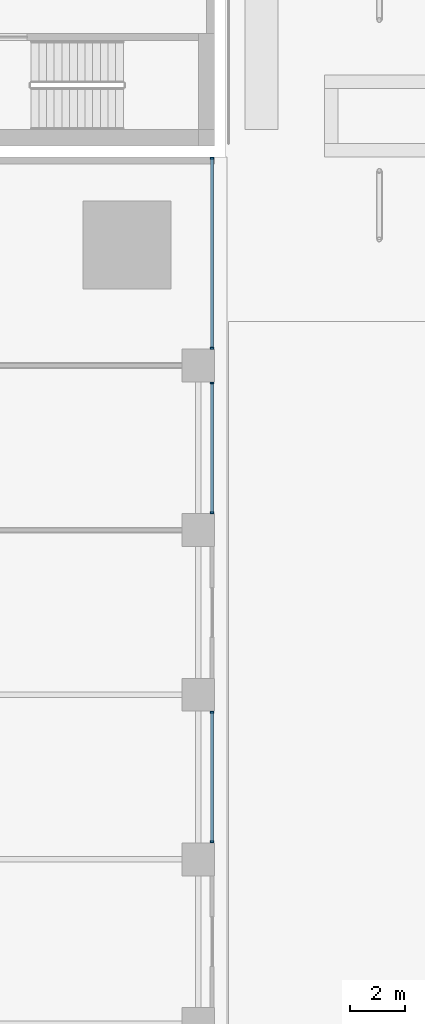
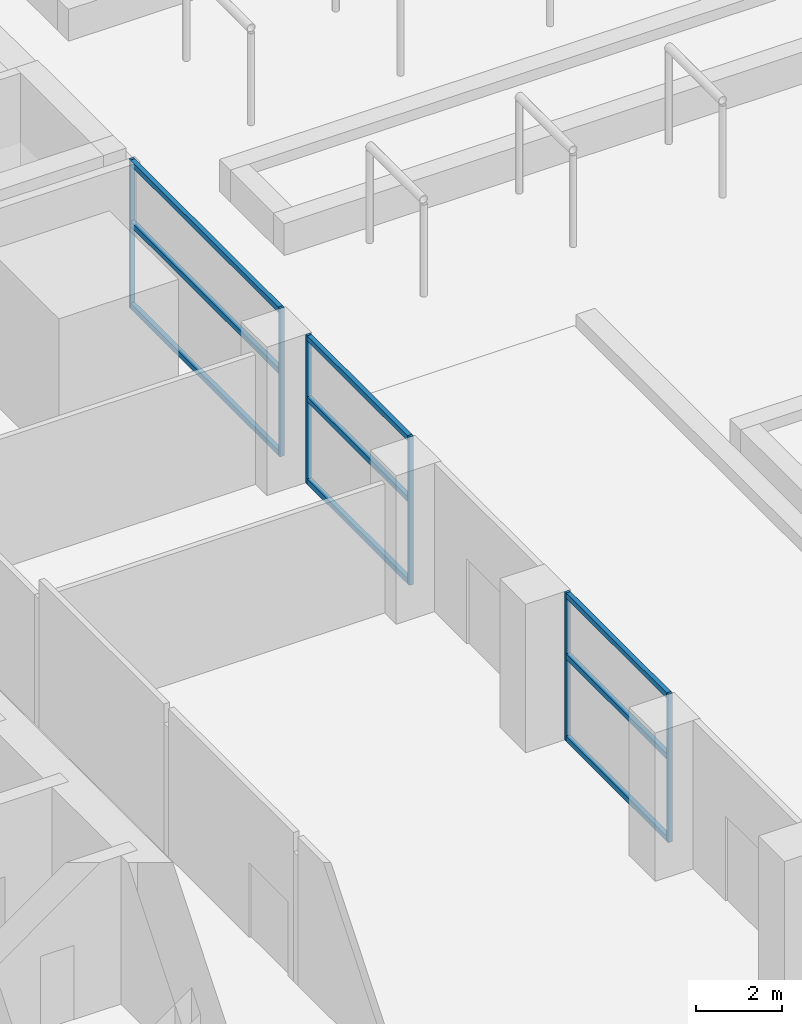
# One storey, part 11 of 34: 15 members, 3 elements without a shape of their own.
"""IFC4 building model written with IfcOpenShell, lengths in metres."""

from ifc_helpers import new_model, si_unit, direction, frame, origin, origin_2d, place, context, subcontext, project, spatial, rectangle, extrude, material, material_profile, profile_set, type_object, element, aggregate, save


model = new_model("IFC4")

# Units and contexts
model_context = context("Model", 3, precision=1e-05, world=origin(), true_north=direction((0.0, 1.0)))
body_context = subcontext(model_context, "Body", "Model", "MODEL_VIEW")
ifc_project = project(units=[si_unit("LENGTHUNIT", "METRE"), si_unit("AREAUNIT", "SQUARE_METRE"), si_unit("VOLUMEUNIT", "CUBIC_METRE"), si_unit("PLANEANGLEUNIT", "RADIAN"), si_unit("MASSUNIT", "GRAM", prefix="KILO")], contexts=[model_context])

# Site, building, storey
site_placement = place(None, origin())
site = spatial("IfcSite", under=ifc_project, at=site_placement, CompositionType="ELEMENT")
building_placement = place(site_placement, origin())
building = spatial("IfcBuilding", under=site, at=building_placement, Name="Amberfall Residences", CompositionType="ELEMENT")
storey_placement = place(building_placement, frame((0.0, 0.0, 5.5)))
storey = spatial("IfcBuildingStorey", under=building, at=storey_placement, Name="L01", CompositionType="ELEMENT", Elevation=5.5)

# Curtain wall, members
ifc_material_1 = material(Name="Bronze anodised aluminium and glass", Category="aluminium")
curtain_wall_type = type_object("IfcCurtainWallType", Name="Curtain wall CW4 podium storefront", PredefinedType="USERDEFINED", material=ifc_material_1)
curtain_wall_1_placement = place(storey_placement, origin())
curtain_wall_1 = element("IfcCurtainWall", 1, at=curtain_wall_1_placement, inside=storey, type_object=curtain_wall_type, Name="Storefront L01 E4", ObjectType="UNITISED CURTAIN WALL", PredefinedType="USERDEFINED")
ifc_material_2 = material(Name="Bronze anodised aluminium", Category="aluminium")
ifc_material_profile_1 = material_profile(ifc_material_2, rectangle(XDim=0.1201171875, YDim=0.070068359375, at=origin_2d()), Name="CW4 mullion 70 x 120 bronze")
ifc_profile_set_1 = profile_set([ifc_material_profile_1], Name="Bronze anodised aluminium")
member_type_1 = type_object("IfcMemberType", Name="CW4 mullion 70 x 120 bronze", PredefinedType="MULLION", material=ifc_profile_set_1)
member_1_placement = place(storey_placement, frame((99.89990234375, 43.034912109375, 0.0), z_axis=(0.0, 0.0, 1.0), x_axis=(-1.0, 0.0, 0.0)))
member_1 = element("IfcMember", 2, at=member_1_placement, type_object=member_type_1, Name="CW4 mullion 1", PredefinedType="MULLION", context=body_context, shape_type="SweptSolid", body=[
    extrude(rectangle(XDim=0.1201171875, YDim=0.070068359375, at=origin_2d()), origin(), (0.0, 0.0, 1.0), 4.199951171875),
])
member_2_placement = place(storey_placement, frame((99.89990234375, 47.764892578125, 0.0), z_axis=(0.0, 0.0, 1.0), x_axis=(-1.0, 0.0, 0.0)))
member_2 = element("IfcMember", 3, at=member_2_placement, type_object=member_type_1, Name="CW4 mullion 2", PredefinedType="MULLION", context=body_context, shape_type="SweptSolid", body=[
    extrude(rectangle(XDim=0.1201171875, YDim=0.070068359375, at=origin_2d()), origin(), (0.0, 0.0, 1.0), 4.199951171875),
])

curtain_wall_2_placement = place(storey_placement, origin())
curtain_wall_2 = element("IfcCurtainWall", 4, at=curtain_wall_2_placement, inside=storey, type_object=curtain_wall_type, Name="Storefront L01 E6", ObjectType="UNITISED CURTAIN WALL", PredefinedType="USERDEFINED")
member_3_placement = place(storey_placement, frame((99.89990234375, 55.034912109375, 0.0), z_axis=(0.0, 0.0, 1.0), x_axis=(-1.0, 0.0, 0.0)))
member_3 = element("IfcMember", 5, at=member_3_placement, type_object=member_type_1, Name="CW4 mullion 1", PredefinedType="MULLION", context=body_context, shape_type="SweptSolid", body=[
    extrude(rectangle(XDim=0.1201171875, YDim=0.070068359375, at=origin_2d()), origin(), (0.0, 0.0, 1.0), 4.199951171875),
])
member_4_placement = place(storey_placement, frame((99.89990234375, 59.764892578125, 0.0), z_axis=(0.0, 0.0, 1.0), x_axis=(-1.0, 0.0, 0.0)))
member_4 = element("IfcMember", 6, at=member_4_placement, type_object=member_type_1, Name="CW4 mullion 2", PredefinedType="MULLION", context=body_context, shape_type="SweptSolid", body=[
    extrude(rectangle(XDim=0.1201171875, YDim=0.070068359375, at=origin_2d()), origin(), (0.0, 0.0, 1.0), 4.199951171875),
])

curtain_wall_3_placement = place(storey_placement, origin())
curtain_wall_3 = element("IfcCurtainWall", 7, at=curtain_wall_3_placement, inside=storey, type_object=curtain_wall_type, Name="Storefront L01 E7", ObjectType="UNITISED CURTAIN WALL", PredefinedType="USERDEFINED")
member_5_placement = place(storey_placement, frame((99.89990234375, 61.034912109375, 0.0), z_axis=(0.0, 0.0, 1.0), x_axis=(-1.0, 0.0, 0.0)))
member_5 = element("IfcMember", 8, at=member_5_placement, type_object=member_type_1, Name="CW4 mullion 1", PredefinedType="MULLION", context=body_context, shape_type="SweptSolid", body=[
    extrude(rectangle(XDim=0.1201171875, YDim=0.070068359375, at=origin_2d()), origin(), (0.0, 0.0, 1.0), 4.199951171875),
])
member_6_placement = place(storey_placement, frame((99.89990234375, 67.965087890625, 0.0), z_axis=(0.0, 0.0, 1.0), x_axis=(-1.0, 0.0, 0.0)))
member_6 = element("IfcMember", 9, at=member_6_placement, type_object=member_type_1, Name="CW4 mullion 2", PredefinedType="MULLION", context=body_context, shape_type="SweptSolid", body=[
    extrude(rectangle(XDim=0.1201171875, YDim=0.070068359375, at=origin_2d()), origin(), (0.0, 0.0, 1.0), 4.199951171875),
])

# Member
ifc_material_profile_2 = material_profile(ifc_material_2, rectangle(XDim=0.1201171875, YDim=0.14990234375, at=origin_2d()), Name="CW4 transom 120 x 150 bronze")
ifc_profile_set_2 = profile_set([ifc_material_profile_2], Name="Bronze anodised aluminium")
member_type_2 = type_object("IfcMemberType", Name="CW4 transom 120 x 150 bronze", PredefinedType="USERDEFINED", material=ifc_profile_set_2)
member_7_placement = place(storey_placement, frame((99.89990234375, 43.070068359375, 0.074951171875), z_axis=(0.0, 1.0, 0.0), x_axis=(-1.0, 0.0, 0.0)))
member_7 = element("IfcMember", 10, at=member_7_placement, type_object=member_type_2, Name="CW4 transom 1.1", ObjectType="TRANSOM", PredefinedType="USERDEFINED", context=body_context, shape_type="SweptSolid", body=[
    extrude(rectangle(XDim=0.1201171875, YDim=0.14990234375, at=origin_2d()), origin(), (0.0, 0.0, 1.0), 4.659912109375),
])

member_8_placement = place(storey_placement, frame((99.89990234375, 43.070068359375, 2.39990234375), z_axis=(0.0, 1.0, 0.0), x_axis=(-1.0, 0.0, 0.0)))
member_8 = element("IfcMember", 11, at=member_8_placement, type_object=member_type_2, Name="CW4 transom 1.2", ObjectType="TRANSOM", PredefinedType="USERDEFINED", context=body_context, shape_type="SweptSolid", body=[
    extrude(rectangle(XDim=0.1201171875, YDim=0.14990234375, at=origin_2d()), origin(), (0.0, 0.0, 1.0), 4.659912109375),
])

member_9_placement = place(storey_placement, frame((99.89990234375, 43.070068359375, 4.125), z_axis=(0.0, 1.0, 0.0), x_axis=(-1.0, 0.0, 0.0)))
member_9 = element("IfcMember", 12, at=member_9_placement, type_object=member_type_2, Name="CW4 transom 1.3", ObjectType="TRANSOM", PredefinedType="USERDEFINED", context=body_context, shape_type="SweptSolid", body=[
    extrude(rectangle(XDim=0.1201171875, YDim=0.14990234375, at=origin_2d()), origin(), (0.0, 0.0, 1.0), 4.659912109375),
])

aggregate(curtain_wall_1, [member_1, member_2, member_7, member_8, member_9])

member_10_placement = place(storey_placement, frame((99.89990234375, 55.070068359375, 0.074951171875), z_axis=(0.0, 1.0, 0.0), x_axis=(-1.0, 0.0, 0.0)))
member_10 = element("IfcMember", 13, at=member_10_placement, type_object=member_type_2, Name="CW4 transom 1.1", ObjectType="TRANSOM", PredefinedType="USERDEFINED", context=body_context, shape_type="SweptSolid", body=[
    extrude(rectangle(XDim=0.1201171875, YDim=0.14990234375, at=origin_2d()), origin(), (0.0, 0.0, 1.0), 4.659912109375),
])

member_11_placement = place(storey_placement, frame((99.89990234375, 55.070068359375, 2.39990234375), z_axis=(0.0, 1.0, 0.0), x_axis=(-1.0, 0.0, 0.0)))
member_11 = element("IfcMember", 14, at=member_11_placement, type_object=member_type_2, Name="CW4 transom 1.2", ObjectType="TRANSOM", PredefinedType="USERDEFINED", context=body_context, shape_type="SweptSolid", body=[
    extrude(rectangle(XDim=0.1201171875, YDim=0.14990234375, at=origin_2d()), origin(), (0.0, 0.0, 1.0), 4.659912109375),
])

member_12_placement = place(storey_placement, frame((99.89990234375, 55.070068359375, 4.125), z_axis=(0.0, 1.0, 0.0), x_axis=(-1.0, 0.0, 0.0)))
member_12 = element("IfcMember", 15, at=member_12_placement, type_object=member_type_2, Name="CW4 transom 1.3", ObjectType="TRANSOM", PredefinedType="USERDEFINED", context=body_context, shape_type="SweptSolid", body=[
    extrude(rectangle(XDim=0.1201171875, YDim=0.14990234375, at=origin_2d()), origin(), (0.0, 0.0, 1.0), 4.659912109375),
])

aggregate(curtain_wall_2, [member_3, member_4, member_10, member_11, member_12])

member_13_placement = place(storey_placement, frame((99.89990234375, 61.070068359375, 0.074951171875), z_axis=(0.0, 1.0, 0.0), x_axis=(-1.0, 0.0, 0.0)))
member_13 = element("IfcMember", 16, at=member_13_placement, type_object=member_type_2, Name="CW4 transom 1.1", ObjectType="TRANSOM", PredefinedType="USERDEFINED", context=body_context, shape_type="SweptSolid", body=[
    extrude(rectangle(XDim=0.1201171875, YDim=0.14990234375, at=origin_2d()), origin(), (0.0, 0.0, 1.0), 6.85986328125),
])

member_14_placement = place(storey_placement, frame((99.89990234375, 61.070068359375, 2.39990234375), z_axis=(0.0, 1.0, 0.0), x_axis=(-1.0, 0.0, 0.0)))
member_14 = element("IfcMember", 17, at=member_14_placement, type_object=member_type_2, Name="CW4 transom 1.2", ObjectType="TRANSOM", PredefinedType="USERDEFINED", context=body_context, shape_type="SweptSolid", body=[
    extrude(rectangle(XDim=0.1201171875, YDim=0.14990234375, at=origin_2d()), origin(), (0.0, 0.0, 1.0), 6.85986328125),
])

member_15_placement = place(storey_placement, frame((99.89990234375, 61.070068359375, 4.125), z_axis=(0.0, 1.0, 0.0), x_axis=(-1.0, 0.0, 0.0)))
member_15 = element("IfcMember", 18, at=member_15_placement, type_object=member_type_2, Name="CW4 transom 1.3", ObjectType="TRANSOM", PredefinedType="USERDEFINED", context=body_context, shape_type="SweptSolid", body=[
    extrude(rectangle(XDim=0.1201171875, YDim=0.14990234375, at=origin_2d()), origin(), (0.0, 0.0, 1.0), 6.85986328125),
])

aggregate(curtain_wall_3, [member_5, member_6, member_13, member_14, member_15])

save(model, "model.ifc")
